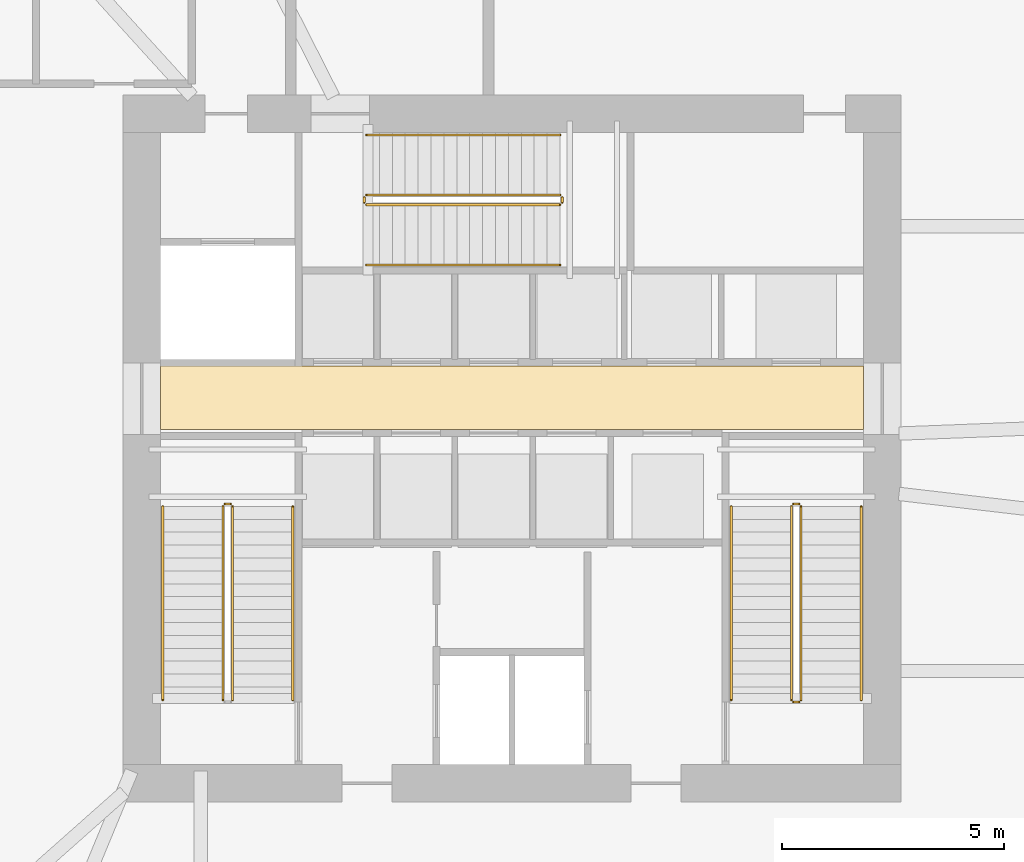
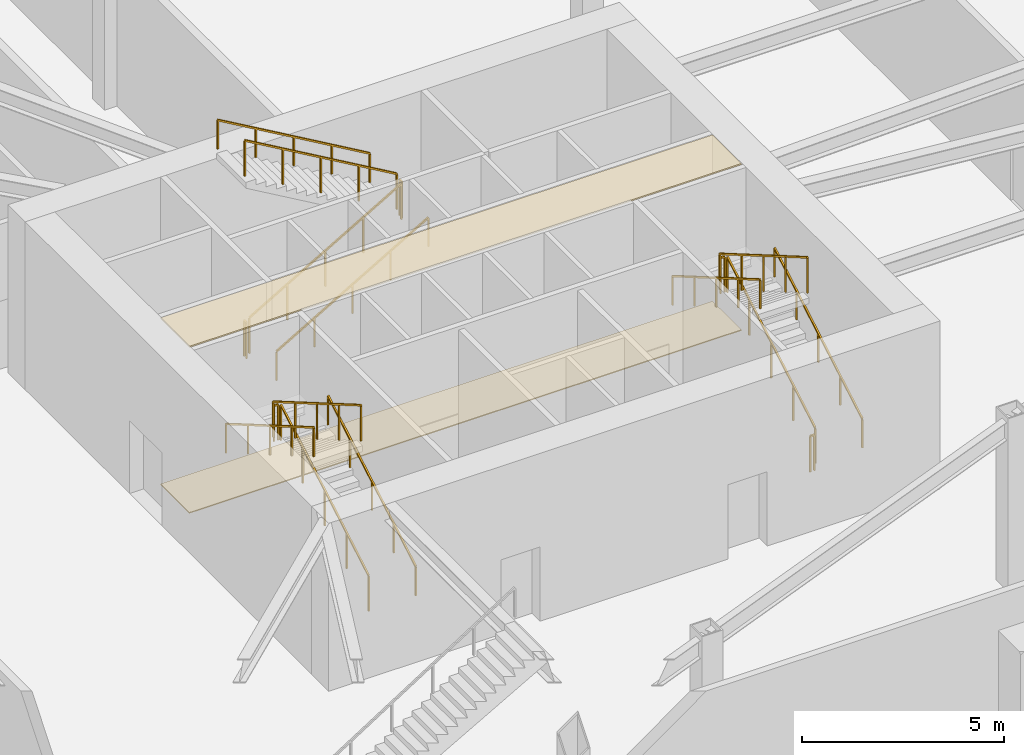
# One storey, part 20 of 22: 17 railings, 2 coverings.
"""IFC4 building model written with IfcOpenShell, lengths in metres."""

from ifc_helpers import new_model, si_unit, direction, frame, origin, origin_2d, place, context, subcontext, project, spatial, polyline, rectangle, outline, extrude, material, layer, layer_set, type_object, element, save


model = new_model("IFC4")

# Units and contexts
model_context = context("Model", 3, precision=1e-05, world=origin(), true_north=direction((0.0, 1.0)))
body_context = subcontext(model_context, "Body", "Model", "MODEL_VIEW")
ifc_project = project(units=[si_unit("LENGTHUNIT", "METRE"), si_unit("AREAUNIT", "SQUARE_METRE"), si_unit("VOLUMEUNIT", "CUBIC_METRE"), si_unit("PLANEANGLEUNIT", "RADIAN"), si_unit("MASSUNIT", "GRAM", prefix="KILO")], contexts=[model_context])

# Site, building, storey
site_placement = place(None, origin())
site = spatial("IfcSite", under=ifc_project, at=site_placement, CompositionType="ELEMENT")
building_placement = place(site_placement, origin())
building = spatial("IfcBuilding", under=site, at=building_placement, Name="Olszyna Solenne Hotel", CompositionType="ELEMENT")
storey_placement = place(building_placement, origin())
storey = spatial("IfcBuildingStorey", under=building, at=storey_placement, Name="L00", CompositionType="ELEMENT", Elevation=0.0)

# Coverings
ifc_material_1 = material(Name="Mineral wool acoustic ceiling")
ifc_layer_1 = layer(ifc_material_1, 0.0400390625, Name="Mineral wool acoustic ceiling")
ifc_layer_set_1 = layer_set([ifc_layer_1], Name="Mineral wool acoustic ceiling")
covering_type_1 = type_object("IfcCoveringType", Name="CL-AC1", PredefinedType="CEILING", material=ifc_layer_set_1)
covering_1_placement = place(storey_placement, frame((0.0, 0.0, 5.02001953125)))
element("IfcCovering", 1, at=covering_1_placement, inside=storey, type_object=covering_type_1, Name="Lift lobby acoustic tile ceiling CL-L00-01", PredefinedType="CEILING", context=body_context, shape_type="SweptSolid", body=[
    extrude(outline(polyline([(30.10009765625, 27.030029296875), (45.89990234375, 27.030029296875), (45.89990234375, 28.4599609375), (30.10009765625, 28.4599609375), (30.10009765625, 27.030029296875)])), origin(), (0.0, 0.0, 1.0), 0.0400390625),
])
ifc_material_2 = material(Name="Ceramic floor tile")
ifc_layer_2 = layer(ifc_material_2, 0.030029296875, Name="Ceramic floor tile")
ifc_layer_set_2 = layer_set([ifc_layer_2], Name="Ceramic floor tile")
covering_type_2 = type_object("IfcCoveringType", Name="FL-TL1", PredefinedType="FLOORING", material=ifc_layer_set_2)
covering_2_placement = place(storey_placement, origin())
element("IfcCovering", 2, at=covering_2_placement, inside=storey, type_object=covering_type_2, Name="Lift lobby stoneware floor finish FLR-L00-01", PredefinedType="FLOORING", context=body_context, shape_type="SweptSolid", body=[
    extrude(outline(polyline([(30.10009765625, 27.030029296875), (45.89990234375, 27.030029296875), (45.89990234375, 28.4599609375), (30.10009765625, 28.4599609375), (30.10009765625, 27.030029296875)])), origin(), (0.0, 0.0, 1.0), 0.030029296875),
])

# Railings
ifc_material_3 = material(Name="Anodised bronze aluminium", Category="aluminium")
railing_type_1 = type_object("IfcRailingType", Name="GR-110", PredefinedType="BALUSTRADE", material=ifc_material_3)
railing_1_placement = place(storey_placement, frame((31.719970703125, 20.949951171875, 0.168701171875)))
element("IfcRailing", 3, at=railing_1_placement, inside=storey, type_object=railing_type_1, Name="L00 ST1 stair guard 1", PredefinedType="BALUSTRADE", context=body_context, shape_type="SweptSolid", body=[
    extrude(rectangle(XDim=0.048095703125, YDim=0.048095703125, at=origin_2d()), frame((0.0, 0.0, 1.076171875), z_axis=(0.0, 0.864323800911, 0.50293574856), x_axis=(-1.0, 0.0, 0.0)), (0.0, 0.0, 1.0), 5.032958984375),
    extrude(rectangle(XDim=0.0419921875, YDim=0.0419921875, at=origin_2d()), origin(), (0.0, 0.0, 1.0), 1.052001953125),
    extrude(rectangle(XDim=0.0419921875, YDim=0.0419921875, at=origin_2d()), frame((0.0, 1.08740234375, 0.6328125)), (0.0, 0.0, 1.0), 1.052001953125),
    extrude(rectangle(XDim=0.0419921875, YDim=0.0419921875, at=origin_2d()), frame((0.0, 2.175048828125, 1.265625)), (0.0, 0.0, 1.0), 1.052001953125),
    extrude(rectangle(XDim=0.0419921875, YDim=0.0419921875, at=origin_2d()), frame((0.0, 3.2626953125, 1.8984375)), (0.0, 0.0, 1.0), 1.052001953125),
    extrude(rectangle(XDim=0.0419921875, YDim=0.0419921875, at=origin_2d()), frame((0.0, 4.35009765625, 2.53125)), (0.0, 0.0, 1.0), 1.052001953125),
])
railing_2_placement = place(storey_placement, frame((31.669921875, 25.35009765625, 2.699951171875)))
element("IfcRailing", 4, at=railing_2_placement, inside=storey, type_object=railing_type_1, Name="L00 ST1 stair guard 2", PredefinedType="BALUSTRADE", context=body_context, shape_type="SweptSolid", body=[
    extrude(rectangle(XDim=0.048095703125, YDim=0.048095703125, at=origin_2d()), frame((0.0, 0.0, 1.076171875), z_axis=(-1.0, 0.0, 0.0), x_axis=(0.0, -1.0, 0.0)), (0.0, 0.0, 1.0), 0.119873046875),
    extrude(rectangle(XDim=0.0419921875, YDim=0.0419921875, at=origin_2d()), origin(), (0.0, 0.0, 1.0), 1.052001953125),
    extrude(rectangle(XDim=0.0419921875, YDim=0.0419921875, at=origin_2d()), frame((-0.119873046875, 0.0, 0.0)), (0.0, 0.0, 1.0), 1.052001953125),
])
railing_3_placement = place(storey_placement, frame((31.5, 25.300048828125, 2.86865234375)))
element("IfcRailing", 5, at=railing_3_placement, inside=storey, type_object=railing_type_1, Name="L00 ST1 stair guard 3", PredefinedType="BALUSTRADE", context=body_context, shape_type="SweptSolid", body=[
    extrude(rectangle(XDim=0.048095703125, YDim=0.048095703125, at=origin_2d()), frame((0.0, 0.0, 1.076171875), z_axis=(0.0, -0.864323800911, 0.50293574856), x_axis=(1.0, 0.0, 0.0)), (0.0, 0.0, 1.0), 5.032958984375),
    extrude(rectangle(XDim=0.0419921875, YDim=0.0419921875, at=origin_2d()), origin(), (0.0, 0.0, 1.0), 1.052001953125),
    extrude(rectangle(XDim=0.0419921875, YDim=0.0419921875, at=origin_2d()), frame((0.0, -1.08740234375, 0.6328125)), (0.0, 0.0, 1.0), 1.052001953125),
    extrude(rectangle(XDim=0.0419921875, YDim=0.0419921875, at=origin_2d()), frame((0.0, -2.175048828125, 1.265625)), (0.0, 0.0, 1.0), 1.052001953125),
    extrude(rectangle(XDim=0.0419921875, YDim=0.0419921875, at=origin_2d()), frame((0.0, -3.2626953125, 1.8984375)), (0.0, 0.0, 1.0), 1.052001953125),
    extrude(rectangle(XDim=0.0419921875, YDim=0.0419921875, at=origin_2d()), frame((0.0, -4.35009765625, 2.53125)), (0.0, 0.0, 1.0), 1.052001953125),
])
railing_4_placement = place(storey_placement, frame((44.5, 20.949951171875, 0.168701171875)))
element("IfcRailing", 6, at=railing_4_placement, inside=storey, type_object=railing_type_1, Name="L00 ST2 stair guard 1", PredefinedType="BALUSTRADE", context=body_context, shape_type="SweptSolid", body=[
    extrude(rectangle(XDim=0.048095703125, YDim=0.048095703125, at=origin_2d()), frame((0.0, 0.0, 1.076171875), z_axis=(0.0, 0.864323800911, 0.50293574856), x_axis=(-1.0, 0.0, 0.0)), (0.0, 0.0, 1.0), 5.032958984375),
    extrude(rectangle(XDim=0.0419921875, YDim=0.0419921875, at=origin_2d()), origin(), (0.0, 0.0, 1.0), 1.052001953125),
    extrude(rectangle(XDim=0.0419921875, YDim=0.0419921875, at=origin_2d()), frame((0.0, 1.08740234375, 0.6328125)), (0.0, 0.0, 1.0), 1.052001953125),
    extrude(rectangle(XDim=0.0419921875, YDim=0.0419921875, at=origin_2d()), frame((0.0, 2.175048828125, 1.265625)), (0.0, 0.0, 1.0), 1.052001953125),
    extrude(rectangle(XDim=0.0419921875, YDim=0.0419921875, at=origin_2d()), frame((0.0, 3.2626953125, 1.8984375)), (0.0, 0.0, 1.0), 1.052001953125),
    extrude(rectangle(XDim=0.0419921875, YDim=0.0419921875, at=origin_2d()), frame((0.0, 4.35009765625, 2.53125)), (0.0, 0.0, 1.0), 1.052001953125),
])
railing_5_placement = place(storey_placement, frame((44.449951171875, 25.35009765625, 2.699951171875)))
element("IfcRailing", 7, at=railing_5_placement, inside=storey, type_object=railing_type_1, Name="L00 ST2 stair guard 2", PredefinedType="BALUSTRADE", context=body_context, shape_type="SweptSolid", body=[
    extrude(rectangle(XDim=0.048095703125, YDim=0.048095703125, at=origin_2d()), frame((0.0, 0.0, 1.076171875), z_axis=(-1.0, 0.0, 0.0), x_axis=(0.0, -1.0, 0.0)), (0.0, 0.0, 1.0), 0.119873046875),
    extrude(rectangle(XDim=0.0419921875, YDim=0.0419921875, at=origin_2d()), origin(), (0.0, 0.0, 1.0), 1.052001953125),
    extrude(rectangle(XDim=0.0419921875, YDim=0.0419921875, at=origin_2d()), frame((-0.119873046875, 0.0, 0.0)), (0.0, 0.0, 1.0), 1.052001953125),
])
railing_6_placement = place(storey_placement, frame((44.280029296875, 25.300048828125, 2.86865234375)))
element("IfcRailing", 8, at=railing_6_placement, inside=storey, type_object=railing_type_1, Name="L00 ST2 stair guard 3", PredefinedType="BALUSTRADE", context=body_context, shape_type="SweptSolid", body=[
    extrude(rectangle(XDim=0.048095703125, YDim=0.048095703125, at=origin_2d()), frame((0.0, 0.0, 1.076171875), z_axis=(0.0, -0.864323800911, 0.50293574856), x_axis=(1.0, 0.0, 0.0)), (0.0, 0.0, 1.0), 5.032958984375),
    extrude(rectangle(XDim=0.0419921875, YDim=0.0419921875, at=origin_2d()), origin(), (0.0, 0.0, 1.0), 1.052001953125),
    extrude(rectangle(XDim=0.0419921875, YDim=0.0419921875, at=origin_2d()), frame((0.0, -1.08740234375, 0.6328125)), (0.0, 0.0, 1.0), 1.052001953125),
    extrude(rectangle(XDim=0.0419921875, YDim=0.0419921875, at=origin_2d()), frame((0.0, -2.175048828125, 1.265625)), (0.0, 0.0, 1.0), 1.052001953125),
    extrude(rectangle(XDim=0.0419921875, YDim=0.0419921875, at=origin_2d()), frame((0.0, -3.2626953125, 1.8984375)), (0.0, 0.0, 1.0), 1.052001953125),
    extrude(rectangle(XDim=0.0419921875, YDim=0.0419921875, at=origin_2d()), frame((0.0, -4.35009765625, 2.53125)), (0.0, 0.0, 1.0), 1.052001953125),
])
railing_7_placement = place(storey_placement, frame((44.449951171875, 20.89990234375, 0.0)))
element("IfcRailing", 9, at=railing_7_placement, inside=storey, type_object=railing_type_1, Name="L00 ST2 stair guard 4", PredefinedType="BALUSTRADE", context=body_context, shape_type="SweptSolid", body=[
    extrude(rectangle(XDim=0.048095703125, YDim=0.048095703125, at=origin_2d()), frame((0.0, 0.0, 1.076171875), z_axis=(-1.0, 0.0, 0.0), x_axis=(0.0, -1.0, 0.0)), (0.0, 0.0, 1.0), 0.119873046875),
    extrude(rectangle(XDim=0.0419921875, YDim=0.0419921875, at=origin_2d()), origin(), (0.0, 0.0, 1.0), 1.052001953125),
    extrude(rectangle(XDim=0.0419921875, YDim=0.0419921875, at=origin_2d()), frame((-0.119873046875, 0.0, 0.0)), (0.0, 0.0, 1.0), 1.052001953125),
])
railing_8_placement = place(storey_placement, frame((34.72998046875, 32.080078125, 0.168701171875)))
element("IfcRailing", 10, at=railing_8_placement, inside=storey, type_object=railing_type_1, Name="L00 ST3 stair guard 1", PredefinedType="BALUSTRADE", context=body_context, shape_type="SweptSolid", body=[
    extrude(rectangle(XDim=0.048095703125, YDim=0.048095703125, at=origin_2d()), frame((0.0, 0.0, 1.076171875), z_axis=(0.864323800911, 0.0, 0.50293574856), x_axis=(0.0, 1.0, 0.0)), (0.0, 0.0, 1.0), 5.032958984375),
    extrude(rectangle(XDim=0.0419921875, YDim=0.0419921875, at=origin_2d()), origin(), (0.0, 0.0, 1.0), 1.052001953125),
    extrude(rectangle(XDim=0.0419921875, YDim=0.0419921875, at=origin_2d()), frame((1.08740234375, 0.0, 0.6328125)), (0.0, 0.0, 1.0), 1.052001953125),
    extrude(rectangle(XDim=0.0419921875, YDim=0.0419921875, at=origin_2d()), frame((2.175048828125, 0.0, 1.265625)), (0.0, 0.0, 1.0), 1.052001953125),
    extrude(rectangle(XDim=0.0419921875, YDim=0.0419921875, at=origin_2d()), frame((3.2626953125, 0.0, 1.8984375)), (0.0, 0.0, 1.0), 1.052001953125),
    extrude(rectangle(XDim=0.0419921875, YDim=0.0419921875, at=origin_2d()), frame((4.35009765625, 0.0, 2.53125)), (0.0, 0.0, 1.0), 1.052001953125),
])
railing_9_placement = place(storey_placement, frame((39.1298828125, 32.1298828125, 2.699951171875)))
element("IfcRailing", 11, at=railing_9_placement, inside=storey, type_object=railing_type_1, Name="L00 ST3 stair guard 2", PredefinedType="BALUSTRADE", context=body_context, shape_type="SweptSolid", body=[
    extrude(rectangle(XDim=0.048095703125, YDim=0.048095703125, at=origin_2d()), frame((0.0, 0.0, 1.076171875), z_axis=(0.0, 1.0, 0.0), x_axis=(-1.0, 0.0, 0.0)), (0.0, 0.0, 1.0), 0.1201171875),
    extrude(rectangle(XDim=0.0419921875, YDim=0.0419921875, at=origin_2d()), origin(), (0.0, 0.0, 1.0), 1.052001953125),
    extrude(rectangle(XDim=0.0419921875, YDim=0.0419921875, at=origin_2d()), frame((0.0, 0.1201171875, 0.0)), (0.0, 0.0, 1.0), 1.052001953125),
])
railing_10_placement = place(storey_placement, frame((39.080078125, 32.300048828125, 2.86865234375)))
element("IfcRailing", 12, at=railing_10_placement, inside=storey, type_object=railing_type_1, Name="L00 ST3 stair guard 3", PredefinedType="BALUSTRADE", context=body_context, shape_type="SweptSolid", body=[
    extrude(rectangle(XDim=0.048095703125, YDim=0.048095703125, at=origin_2d()), frame((0.0, 0.0, 1.076171875), z_axis=(-0.864323800911, 0.0, 0.50293574856), x_axis=(0.0, -1.0, 0.0)), (0.0, 0.0, 1.0), 5.032958984375),
    extrude(rectangle(XDim=0.0419921875, YDim=0.0419921875, at=origin_2d()), origin(), (0.0, 0.0, 1.0), 1.052001953125),
    extrude(rectangle(XDim=0.0419921875, YDim=0.0419921875, at=origin_2d()), frame((-1.08740234375, 0.0, 0.6328125)), (0.0, 0.0, 1.0), 1.052001953125),
    extrude(rectangle(XDim=0.0419921875, YDim=0.0419921875, at=origin_2d()), frame((-2.175048828125, 0.0, 1.265625)), (0.0, 0.0, 1.0), 1.052001953125),
    extrude(rectangle(XDim=0.0419921875, YDim=0.0419921875, at=origin_2d()), frame((-3.2626953125, 0.0, 1.8984375)), (0.0, 0.0, 1.0), 1.052001953125),
    extrude(rectangle(XDim=0.0419921875, YDim=0.0419921875, at=origin_2d()), frame((-4.35009765625, 0.0, 2.53125)), (0.0, 0.0, 1.0), 1.052001953125),
])
railing_11_placement = place(storey_placement, frame((34.679931640625, 32.1298828125, 0.0)))
element("IfcRailing", 13, at=railing_11_placement, inside=storey, type_object=railing_type_1, Name="L00 ST3 stair guard 4", PredefinedType="BALUSTRADE", context=body_context, shape_type="SweptSolid", body=[
    extrude(rectangle(XDim=0.048095703125, YDim=0.048095703125, at=origin_2d()), frame((0.0, 0.0, 1.076171875), z_axis=(0.0, 1.0, 0.0), x_axis=(-1.0, 0.0, 0.0)), (0.0, 0.0, 1.0), 0.1201171875),
    extrude(rectangle(XDim=0.0419921875, YDim=0.0419921875, at=origin_2d()), origin(), (0.0, 0.0, 1.0), 1.052001953125),
    extrude(rectangle(XDim=0.0419921875, YDim=0.0419921875, at=origin_2d()), frame((0.0, 0.1201171875, 0.0)), (0.0, 0.0, 1.0), 1.052001953125),
])
ifc_material_4 = material(Name="Steel S355J2", Category="steel")
railing_type_2 = type_object("IfcRailingType", Name="HR-090", PredefinedType="HANDRAIL", material=ifc_material_4)
railing_12_placement = place(storey_placement, frame((33.070068359375, 20.949951171875, 0.168701171875)))
element("IfcRailing", 14, at=railing_12_placement, inside=storey, type_object=railing_type_2, Name="L00 ST1 stair handrail 1", PredefinedType="HANDRAIL", context=body_context, shape_type="SweptSolid", body=[
    extrude(rectangle(XDim=0.048095703125, YDim=0.048095703125, at=origin_2d()), frame((0.0, 0.0, 0.8759765625), z_axis=(0.0, 0.864323800911, 0.50293574856), x_axis=(-1.0, 0.0, 0.0)), (0.0, 0.0, 1.0), 5.032958984375),
    extrude(rectangle(XDim=0.0419921875, YDim=0.0419921875, at=origin_2d()), origin(), (0.0, 0.0, 1.0), 0.851806640625),
    extrude(rectangle(XDim=0.0419921875, YDim=0.0419921875, at=origin_2d()), frame((0.0, 1.08740234375, 0.6328125)), (0.0, 0.0, 1.0), 0.851806640625),
    extrude(rectangle(XDim=0.0419921875, YDim=0.0419921875, at=origin_2d()), frame((0.0, 2.175048828125, 1.265625)), (0.0, 0.0, 1.0), 0.851806640625),
    extrude(rectangle(XDim=0.0419921875, YDim=0.0419921875, at=origin_2d()), frame((0.0, 3.2626953125, 1.8984375)), (0.0, 0.0, 1.0), 0.851806640625),
    extrude(rectangle(XDim=0.0419921875, YDim=0.0419921875, at=origin_2d()), frame((0.0, 4.35009765625, 2.53125)), (0.0, 0.0, 1.0), 0.851806640625),
])
railing_13_placement = place(storey_placement, frame((30.14990234375, 25.300048828125, 2.86865234375)))
element("IfcRailing", 15, at=railing_13_placement, inside=storey, type_object=railing_type_2, Name="L00 ST1 stair handrail 2", PredefinedType="HANDRAIL", context=body_context, shape_type="SweptSolid", body=[
    extrude(rectangle(XDim=0.048095703125, YDim=0.048095703125, at=origin_2d()), frame((0.0, 0.0, 0.8759765625), z_axis=(0.0, -0.864323800911, 0.50293574856), x_axis=(1.0, 0.0, 0.0)), (0.0, 0.0, 1.0), 5.032958984375),
    extrude(rectangle(XDim=0.0419921875, YDim=0.0419921875, at=origin_2d()), origin(), (0.0, 0.0, 1.0), 0.851806640625),
    extrude(rectangle(XDim=0.0419921875, YDim=0.0419921875, at=origin_2d()), frame((0.0, -1.08740234375, 0.6328125)), (0.0, 0.0, 1.0), 0.851806640625),
    extrude(rectangle(XDim=0.0419921875, YDim=0.0419921875, at=origin_2d()), frame((0.0, -2.175048828125, 1.265625)), (0.0, 0.0, 1.0), 0.851806640625),
    extrude(rectangle(XDim=0.0419921875, YDim=0.0419921875, at=origin_2d()), frame((0.0, -3.2626953125, 1.8984375)), (0.0, 0.0, 1.0), 0.851806640625),
    extrude(rectangle(XDim=0.0419921875, YDim=0.0419921875, at=origin_2d()), frame((0.0, -4.35009765625, 2.53125)), (0.0, 0.0, 1.0), 0.851806640625),
])
railing_14_placement = place(storey_placement, frame((45.85009765625, 20.949951171875, 0.168701171875)))
element("IfcRailing", 16, at=railing_14_placement, inside=storey, type_object=railing_type_2, Name="L00 ST2 stair handrail 1", PredefinedType="HANDRAIL", context=body_context, shape_type="SweptSolid", body=[
    extrude(rectangle(XDim=0.048095703125, YDim=0.048095703125, at=origin_2d()), frame((0.0, 0.0, 0.8759765625), z_axis=(0.0, 0.864323800911, 0.50293574856), x_axis=(-1.0, 0.0, 0.0)), (0.0, 0.0, 1.0), 5.032958984375),
    extrude(rectangle(XDim=0.0419921875, YDim=0.0419921875, at=origin_2d()), origin(), (0.0, 0.0, 1.0), 0.851806640625),
    extrude(rectangle(XDim=0.0419921875, YDim=0.0419921875, at=origin_2d()), frame((0.0, 1.08740234375, 0.6328125)), (0.0, 0.0, 1.0), 0.851806640625),
    extrude(rectangle(XDim=0.0419921875, YDim=0.0419921875, at=origin_2d()), frame((0.0, 2.175048828125, 1.265625)), (0.0, 0.0, 1.0), 0.851806640625),
    extrude(rectangle(XDim=0.0419921875, YDim=0.0419921875, at=origin_2d()), frame((0.0, 3.2626953125, 1.8984375)), (0.0, 0.0, 1.0), 0.851806640625),
    extrude(rectangle(XDim=0.0419921875, YDim=0.0419921875, at=origin_2d()), frame((0.0, 4.35009765625, 2.53125)), (0.0, 0.0, 1.0), 0.851806640625),
])
railing_15_placement = place(storey_placement, frame((42.929931640625, 25.300048828125, 2.86865234375)))
element("IfcRailing", 17, at=railing_15_placement, inside=storey, type_object=railing_type_2, Name="L00 ST2 stair handrail 2", PredefinedType="HANDRAIL", context=body_context, shape_type="SweptSolid", body=[
    extrude(rectangle(XDim=0.048095703125, YDim=0.048095703125, at=origin_2d()), frame((0.0, 0.0, 0.8759765625), z_axis=(0.0, -0.864323800911, 0.50293574856), x_axis=(1.0, 0.0, 0.0)), (0.0, 0.0, 1.0), 5.032958984375),
    extrude(rectangle(XDim=0.0419921875, YDim=0.0419921875, at=origin_2d()), origin(), (0.0, 0.0, 1.0), 0.851806640625),
    extrude(rectangle(XDim=0.0419921875, YDim=0.0419921875, at=origin_2d()), frame((0.0, -1.08740234375, 0.6328125)), (0.0, 0.0, 1.0), 0.851806640625),
    extrude(rectangle(XDim=0.0419921875, YDim=0.0419921875, at=origin_2d()), frame((0.0, -2.175048828125, 1.265625)), (0.0, 0.0, 1.0), 0.851806640625),
    extrude(rectangle(XDim=0.0419921875, YDim=0.0419921875, at=origin_2d()), frame((0.0, -3.2626953125, 1.8984375)), (0.0, 0.0, 1.0), 0.851806640625),
    extrude(rectangle(XDim=0.0419921875, YDim=0.0419921875, at=origin_2d()), frame((0.0, -4.35009765625, 2.53125)), (0.0, 0.0, 1.0), 0.851806640625),
])
railing_16_placement = place(storey_placement, frame((34.72998046875, 30.72998046875, 0.168701171875)))
element("IfcRailing", 18, at=railing_16_placement, inside=storey, type_object=railing_type_2, Name="L00 ST3 stair handrail 1", PredefinedType="HANDRAIL", context=body_context, shape_type="SweptSolid", body=[
    extrude(rectangle(XDim=0.048095703125, YDim=0.048095703125, at=origin_2d()), frame((0.0, 0.0, 0.8759765625), z_axis=(0.864323800911, 0.0, 0.50293574856), x_axis=(0.0, 1.0, 0.0)), (0.0, 0.0, 1.0), 5.032958984375),
    extrude(rectangle(XDim=0.0419921875, YDim=0.0419921875, at=origin_2d()), origin(), (0.0, 0.0, 1.0), 0.851806640625),
    extrude(rectangle(XDim=0.0419921875, YDim=0.0419921875, at=origin_2d()), frame((1.08740234375, 0.0, 0.6328125)), (0.0, 0.0, 1.0), 0.851806640625),
    extrude(rectangle(XDim=0.0419921875, YDim=0.0419921875, at=origin_2d()), frame((2.175048828125, 0.0, 1.265625)), (0.0, 0.0, 1.0), 0.851806640625),
    extrude(rectangle(XDim=0.0419921875, YDim=0.0419921875, at=origin_2d()), frame((3.2626953125, 0.0, 1.8984375)), (0.0, 0.0, 1.0), 0.851806640625),
    extrude(rectangle(XDim=0.0419921875, YDim=0.0419921875, at=origin_2d()), frame((4.35009765625, 0.0, 2.53125)), (0.0, 0.0, 1.0), 0.851806640625),
])
railing_17_placement = place(storey_placement, frame((39.080078125, 33.64990234375, 2.86865234375)))
element("IfcRailing", 19, at=railing_17_placement, inside=storey, type_object=railing_type_2, Name="L00 ST3 stair handrail 2", PredefinedType="HANDRAIL", context=body_context, shape_type="SweptSolid", body=[
    extrude(rectangle(XDim=0.048095703125, YDim=0.048095703125, at=origin_2d()), frame((0.0, 0.0, 0.8759765625), z_axis=(-0.864323800911, 0.0, 0.50293574856), x_axis=(0.0, -1.0, 0.0)), (0.0, 0.0, 1.0), 5.032958984375),
    extrude(rectangle(XDim=0.0419921875, YDim=0.0419921875, at=origin_2d()), origin(), (0.0, 0.0, 1.0), 0.851806640625),
    extrude(rectangle(XDim=0.0419921875, YDim=0.0419921875, at=origin_2d()), frame((-1.08740234375, 0.0, 0.6328125)), (0.0, 0.0, 1.0), 0.851806640625),
    extrude(rectangle(XDim=0.0419921875, YDim=0.0419921875, at=origin_2d()), frame((-2.175048828125, 0.0, 1.265625)), (0.0, 0.0, 1.0), 0.851806640625),
    extrude(rectangle(XDim=0.0419921875, YDim=0.0419921875, at=origin_2d()), frame((-3.2626953125, 0.0, 1.8984375)), (0.0, 0.0, 1.0), 0.851806640625),
    extrude(rectangle(XDim=0.0419921875, YDim=0.0419921875, at=origin_2d()), frame((-4.35009765625, 0.0, 2.53125)), (0.0, 0.0, 1.0), 0.851806640625),
])

save(model, "model.ifc")
